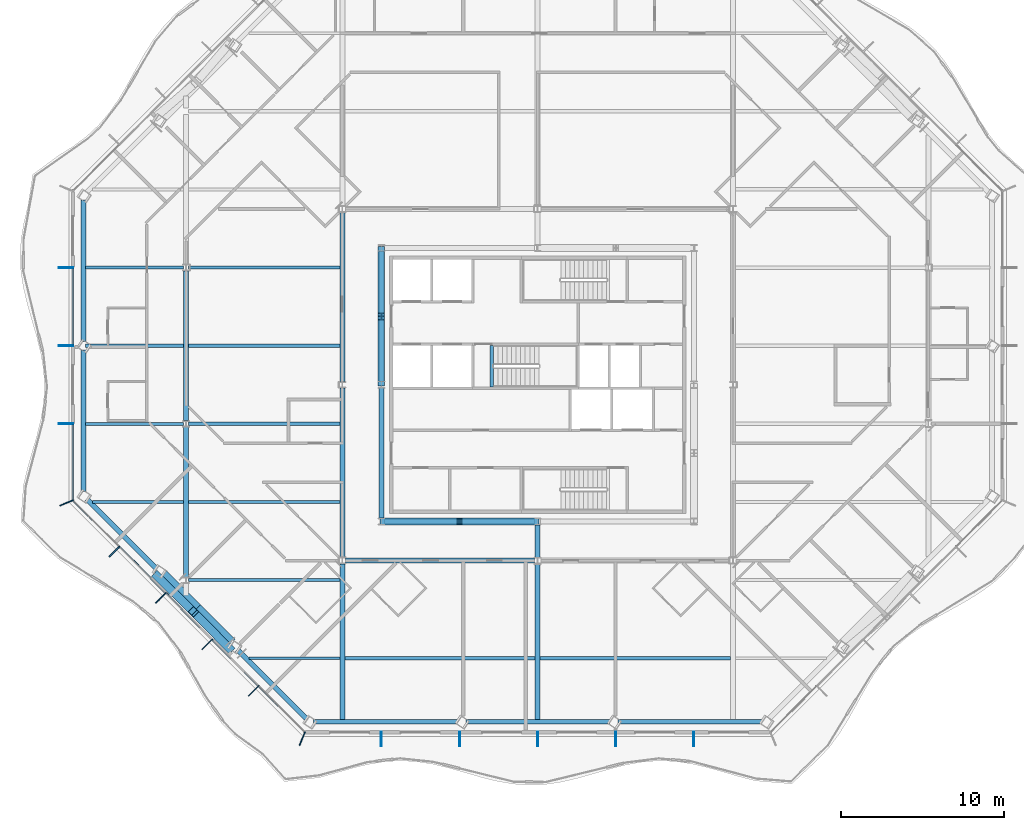
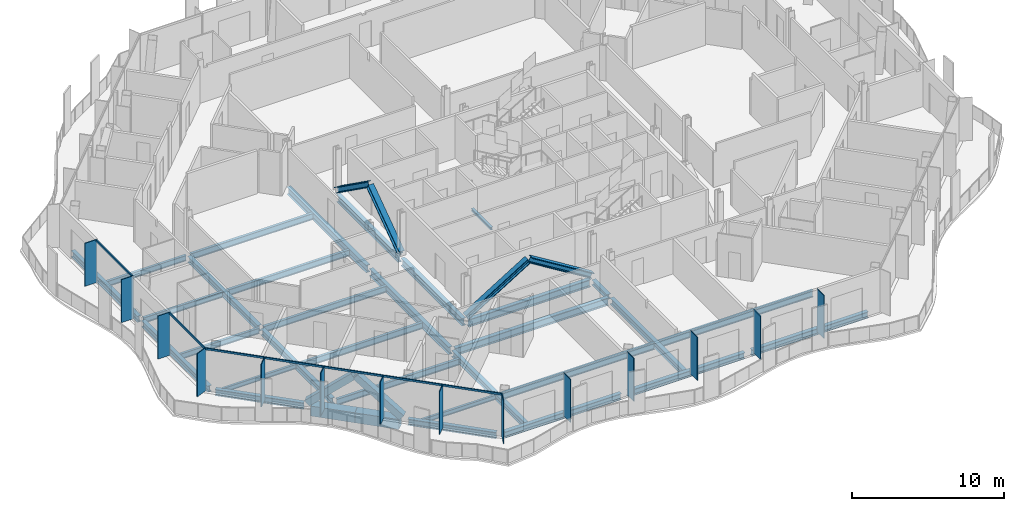
# One storey, part 3 of 21: 33 beams, 27 members, 3 elements without a shape of their own.
"""IFC4 building model written with IfcOpenShell, lengths in metres."""

from ifc_helpers import new_model, si_unit, direction, frame, origin, origin_2d, place, context, subcontext, project, spatial, rectangle, hollow_rectangle, i_section, extrude, material, material_profile, profile_set, type_object, element, aggregate, save


model = new_model("IFC4")

# Units and contexts
model_context = context("Model", 3, precision=1e-05, world=origin(), true_north=direction((0.0, 1.0)))
body_context = subcontext(model_context, "Body", "Model", "MODEL_VIEW")
ifc_project = project(units=[si_unit("LENGTHUNIT", "METRE"), si_unit("AREAUNIT", "SQUARE_METRE"), si_unit("VOLUMEUNIT", "CUBIC_METRE"), si_unit("PLANEANGLEUNIT", "RADIAN"), si_unit("MASSUNIT", "GRAM", prefix="KILO")], contexts=[model_context])

# Site, building, storey
site_placement = place(None, origin())
site = spatial("IfcSite", under=ifc_project, at=site_placement, CompositionType="ELEMENT")
building_placement = place(site_placement, origin())
building = spatial("IfcBuilding", under=site, at=building_placement, Name="Cairn Pilgrim Tower", CompositionType="ELEMENT")
storey_placement = place(building_placement, frame((0.0, 0.0, 172.199951171875)))
storey = spatial("IfcBuildingStorey", under=building, at=storey_placement, Name="L43", CompositionType="ELEMENT", Elevation=172.199951171875)

# Members
ifc_material_1 = material(Name="Structural steel S460M", Category="steel")
ifc_material_profile_1 = material_profile(ifc_material_1, hollow_rectangle(XDim=0.5, YDim=0.5, WallThickness=0.030029296875, at=origin_2d()), Name="BOX 500x500x30")
ifc_profile_set_1 = profile_set([ifc_material_profile_1], Name="Structural steel S460M")
member_type_1 = type_object("IfcMemberType", Name="BOX 500x500x30 BRACE", PredefinedType="BRACE", material=ifc_profile_set_1)
member_1_placement = place(storey_placement, frame((-16.241455078125, -9.298095703125, 0.14990234375), z_axis=(0.542271973889, -0.530750614671, 0.651340841159), x_axis=(0.699474047805, 0.714657999639, 0.0)))
element("IfcMember", 1, at=member_1_placement, inside=storey, type_object=member_type_1, Name="XB-SW2-SW3-1", PredefinedType="BRACE", context=body_context, shape_type="SweptSolid", body=[
    extrude(hollow_rectangle(XDim=0.5, YDim=0.5, WallThickness=0.030029296875, at=origin_2d()), origin(), (0.0, 0.0, 1.0), 4.132080078125),
])
member_2_placement = place(storey_placement, frame((-11.689453125, -13.83984375, 0.149169921875), z_axis=(-0.532316617534, 0.541346936026, 0.650832170035), x_axis=(-0.713028861708, -0.701134682048, 0.0)))
element("IfcMember", 2, at=member_2_placement, inside=storey, type_object=member_type_1, Name="XB-SW2-SW3-2", PredefinedType="BRACE", context=body_context, shape_type="SweptSolid", body=[
    extrude(hollow_rectangle(XDim=0.5, YDim=0.5, WallThickness=0.030029296875, at=origin_2d()), origin(), (0.0, 0.0, 1.0), 4.136474609375),
])

# Beams
ifc_material_2 = material(Name="Structural steel S355J2", Category="steel")
ifc_material_profile_2 = material_profile(ifc_material_2, hollow_rectangle(XDim=0.699951171875, YDim=0.800048828125, WallThickness=0.0400390625, at=origin_2d()), Name="BOX 700x800x40")
ifc_profile_set_2 = profile_set([ifc_material_profile_2], Name="Structural steel S355J2")
beam_type_1 = type_object("IfcBeamType", Name="BOX 700x800x40 RING GIRDER", PredefinedType="SPANDREL", material=ifc_profile_set_2)
beam_1_placement = place(storey_placement, frame((-15.884765625, -9.242431640625, -0.550048828125), z_axis=(0.707106781187, -0.707106781187, 0.0), x_axis=(0.707106781187, 0.707106781187, 0.0)))
element("IfcBeam", 3, at=beam_1_placement, inside=storey, type_object=beam_type_1, Name="RG2-SW2-SW3-1", PredefinedType="SPANDREL", context=body_context, shape_type="SweptSolid", body=[
    extrude(hollow_rectangle(XDim=0.699951171875, YDim=0.800048828125, WallThickness=0.0400390625, at=origin_2d()), origin(), (0.0, 0.0, 1.0), 2.999755859375),
])
beam_2_placement = place(storey_placement, frame((-13.763671875, -11.363525390625, -0.550048828125), z_axis=(0.707106781187, -0.707106781187, 0.0), x_axis=(0.707106781187, 0.707106781187, 0.0)))
element("IfcBeam", 4, at=beam_2_placement, inside=storey, type_object=beam_type_1, Name="RG2-SW2-SW3-2", PredefinedType="SPANDREL", context=body_context, shape_type="SweptSolid", body=[
    extrude(hollow_rectangle(XDim=0.699951171875, YDim=0.800048828125, WallThickness=0.0400390625, at=origin_2d()), origin(), (0.0, 0.0, 1.0), 3.0),
])

# Curtain wall, members
ifc_material_3 = material(Name="Aluminium alloy 6063-T6 bronze anodised with Bronze tinted laminated low-E glass 8+16+8.8", Category="aluminium")
curtain_wall_type_1 = type_object("IfcCurtainWallType", Name="TOWER STICK CURTAIN WALL NS", PredefinedType="NOTDEFINED", material=ifc_material_3)
curtain_wall_1_placement = place(storey_placement, origin())
curtain_wall_1 = element("IfcCurtainWall", 5, at=curtain_wall_1_placement, inside=storey, type_object=curtain_wall_type_1, Name="Tower Stick Curtain Wall Ns S", PredefinedType="NOTDEFINED")
ifc_material_4 = material(Name="Aluminium alloy 6063-T6 bronze anodised", Category="aluminium")
ifc_material_profile_3 = material_profile(ifc_material_4, rectangle(XDim=0.89990234375, YDim=0.06005859375, at=origin_2d()), Name="FIN MULLION 60x900 BRONZE")
ifc_profile_set_3 = profile_set([ifc_material_profile_3], Name="Aluminium alloy 6063-T6 bronze anodised")
member_type_2 = type_object("IfcMemberType", Name="FIN MULLION 60x900 BRONZE", PredefinedType="MULLION", material=ifc_profile_set_3)
member_3_placement = place(storey_placement, frame((-7.257080078125, -19.338134765625, 0.0), z_axis=(0.0, 0.0, 1.0), x_axis=(-0.382683432365, -0.923879532511, 0.0)))
member_3 = element("IfcMember", 6, at=member_3_placement, type_object=member_type_2, Name="Fin mullion S1", PredefinedType="MULLION", context=body_context, shape_type="SweptSolid", body=[
    extrude(rectangle(XDim=0.89990234375, YDim=0.06005859375, at=origin_2d()), origin(), (0.0, 0.0, 1.0), 3.449951171875),
])
member_4_placement = place(storey_placement, frame((-2.39990234375, -19.3701171875, 0.0), z_axis=(0.0, 0.0, 1.0), x_axis=(0.0, -1.0, 0.0)))
member_4 = element("IfcMember", 7, at=member_4_placement, type_object=member_type_2, Name="Fin mullion S2", PredefinedType="MULLION", context=body_context, shape_type="SweptSolid", body=[
    extrude(rectangle(XDim=0.89990234375, YDim=0.06005859375, at=origin_2d()), origin(), (0.0, 0.0, 1.0), 3.449951171875),
])
member_5_placement = place(storey_placement, frame((2.39990234375, -19.3701171875, 0.0), z_axis=(0.0, 0.0, 1.0), x_axis=(0.0, -1.0, 0.0)))
member_5 = element("IfcMember", 8, at=member_5_placement, type_object=member_type_2, Name="Fin mullion S3", PredefinedType="MULLION", context=body_context, shape_type="SweptSolid", body=[
    extrude(rectangle(XDim=0.89990234375, YDim=0.06005859375, at=origin_2d()), origin(), (0.0, 0.0, 1.0), 3.449951171875),
])
member_6_placement = place(storey_placement, frame((7.199951171875, -19.3701171875, 0.0), z_axis=(0.0, 0.0, 1.0), x_axis=(0.0, -1.0, 0.0)))
member_6 = element("IfcMember", 9, at=member_6_placement, type_object=member_type_2, Name="Fin mullion S4", PredefinedType="MULLION", context=body_context, shape_type="SweptSolid", body=[
    extrude(rectangle(XDim=0.89990234375, YDim=0.06005859375, at=origin_2d()), origin(), (0.0, 0.0, 1.0), 3.449951171875),
])
member_7_placement = place(storey_placement, frame((12.0, -19.3701171875, 0.0), z_axis=(0.0, 0.0, 1.0), x_axis=(0.0, -1.0, 0.0)))
member_7 = element("IfcMember", 10, at=member_7_placement, type_object=member_type_2, Name="Fin mullion S5", PredefinedType="MULLION", context=body_context, shape_type="SweptSolid", body=[
    extrude(rectangle(XDim=0.89990234375, YDim=0.06005859375, at=origin_2d()), origin(), (0.0, 0.0, 1.0), 3.449951171875),
])
member_8_placement = place(storey_placement, frame((16.800048828125, -19.3701171875, 0.0), z_axis=(0.0, 0.0, 1.0), x_axis=(0.0, -1.0, 0.0)))
member_8 = element("IfcMember", 11, at=member_8_placement, type_object=member_type_2, Name="Fin mullion S6", PredefinedType="MULLION", context=body_context, shape_type="SweptSolid", body=[
    extrude(rectangle(XDim=0.89990234375, YDim=0.06005859375, at=origin_2d()), origin(), (0.0, 0.0, 1.0), 3.449951171875),
])
aggregate(curtain_wall_1, [member_3, member_4, member_5, member_6, member_7, member_8])

curtain_wall_type_2 = type_object("IfcCurtainWallType", Name="TOWER STICK CURTAIN WALL EW", PredefinedType="NOTDEFINED", material=ifc_material_3)
curtain_wall_2_placement = place(storey_placement, origin())
curtain_wall_2 = element("IfcCurtainWall", 12, at=curtain_wall_2_placement, inside=storey, type_object=curtain_wall_type_2, Name="Tower Stick Curtain Wall Ew W", PredefinedType="NOTDEFINED")
member_9_placement = place(storey_placement, frame((-21.77001953125, 9.60009765625, 0.0), z_axis=(0.0, 0.0, 1.0), x_axis=(-1.0, 0.0, 0.0)))
member_9 = element("IfcMember", 13, at=member_9_placement, type_object=member_type_2, Name="Fin mullion W2", PredefinedType="MULLION", context=body_context, shape_type="SweptSolid", body=[
    extrude(rectangle(XDim=0.89990234375, YDim=0.06005859375, at=origin_2d()), origin(), (0.0, 0.0, 1.0), 3.449951171875),
])
member_10_placement = place(storey_placement, frame((-21.77001953125, 4.800048828125, 0.0), z_axis=(0.0, 0.0, 1.0), x_axis=(-1.0, 0.0, 0.0)))
member_10 = element("IfcMember", 14, at=member_10_placement, type_object=member_type_2, Name="Fin mullion W3", PredefinedType="MULLION", context=body_context, shape_type="SweptSolid", body=[
    extrude(rectangle(XDim=0.89990234375, YDim=0.06005859375, at=origin_2d()), origin(), (0.0, 0.0, 1.0), 3.449951171875),
])
member_11_placement = place(storey_placement, frame((-21.77001953125, 0.0, 0.0), z_axis=(0.0, 0.0, 1.0), x_axis=(-1.0, 0.0, 0.0)))
member_11 = element("IfcMember", 15, at=member_11_placement, type_object=member_type_2, Name="Fin mullion W4", PredefinedType="MULLION", context=body_context, shape_type="SweptSolid", body=[
    extrude(rectangle(XDim=0.89990234375, YDim=0.06005859375, at=origin_2d()), origin(), (0.0, 0.0, 1.0), 3.449951171875),
])

curtain_wall_type_3 = type_object("IfcCurtainWallType", Name="CHAMFER CORNER CURTAIN WALL", PredefinedType="NOTDEFINED", material=ifc_material_3)
curtain_wall_3_placement = place(storey_placement, origin())
curtain_wall_3 = element("IfcCurtainWall", 16, at=curtain_wall_3_placement, inside=storey, type_object=curtain_wall_type_3, Name="Chamfer Corner Curtain Wall SW", PredefinedType="NOTDEFINED")
member_12_placement = place(storey_placement, frame((-21.738037109375, -4.857177734375, 0.0), z_axis=(0.0, 0.0, 1.0), x_axis=(-0.923879532511, -0.382683432365, 0.0)))
member_12 = element("IfcMember", 17, at=member_12_placement, type_object=member_type_2, Name="Fin mullion SW1", PredefinedType="MULLION", context=body_context, shape_type="SweptSolid", body=[
    extrude(rectangle(XDim=0.89990234375, YDim=0.06005859375, at=origin_2d()), origin(), (0.0, 0.0, 1.0), 3.449951171875),
])
member_13_placement = place(storey_placement, frame((-18.79638671875, -7.84423828125, 0.0), z_axis=(0.0, 0.0, 1.0), x_axis=(-0.707106781187, -0.707106781187, 0.0)))
member_13 = element("IfcMember", 18, at=member_13_placement, type_object=member_type_2, Name="Fin mullion SW2", PredefinedType="MULLION", context=body_context, shape_type="SweptSolid", body=[
    extrude(rectangle(XDim=0.89990234375, YDim=0.06005859375, at=origin_2d()), origin(), (0.0, 0.0, 1.0), 3.449951171875),
])
member_14_placement = place(storey_placement, frame((-15.945556640625, -10.69482421875, 0.0), z_axis=(0.0, 0.0, 1.0), x_axis=(-0.707106781187, -0.707106781187, 0.0)))
member_14 = element("IfcMember", 19, at=member_14_placement, type_object=member_type_2, Name="Fin mullion SW3", PredefinedType="MULLION", context=body_context, shape_type="SweptSolid", body=[
    extrude(rectangle(XDim=0.89990234375, YDim=0.06005859375, at=origin_2d()), origin(), (0.0, 0.0, 1.0), 3.449951171875),
])
member_15_placement = place(storey_placement, frame((-13.094970703125, -13.545654296875, 0.0), z_axis=(0.0, 0.0, 1.0), x_axis=(-0.707106781187, -0.707106781187, 0.0)))
member_15 = element("IfcMember", 20, at=member_15_placement, type_object=member_type_2, Name="Fin mullion SW4", PredefinedType="MULLION", context=body_context, shape_type="SweptSolid", body=[
    extrude(rectangle(XDim=0.89990234375, YDim=0.06005859375, at=origin_2d()), origin(), (0.0, 0.0, 1.0), 3.449951171875),
])
member_16_placement = place(storey_placement, frame((-10.244140625, -16.396240234375, 0.0), z_axis=(0.0, 0.0, 1.0), x_axis=(-0.707106781187, -0.707106781187, 0.0)))
member_16 = element("IfcMember", 21, at=member_16_placement, type_object=member_type_2, Name="Fin mullion SW5", PredefinedType="MULLION", context=body_context, shape_type="SweptSolid", body=[
    extrude(rectangle(XDim=0.89990234375, YDim=0.06005859375, at=origin_2d()), origin(), (0.0, 0.0, 1.0), 3.449951171875),
])

# Members
ifc_material_profile_4 = material_profile(ifc_material_1, i_section(OverallWidth=0.408935546875, OverallDepth=0.425048828125, WebThickness=0.03271484375, FlangeThickness=0.052490234375, FilletRadius=0.014892578125, at=origin_2d()), Name="HD 400x421")
ifc_profile_set_4 = profile_set([ifc_material_profile_4], Name="Structural steel S460M")
member_type_3 = type_object("IfcMemberType", Name="HD 400x421 BRACE", PredefinedType="BRACE", material=ifc_profile_set_4)
member_17_placement = place(storey_placement, frame((-2.3583984375, -6.0, 0.10009765625), z_axis=(0.851119565216, 0.0, 0.524971890397), x_axis=(0.0, 1.0, 0.0)))
element("IfcMember", 22, at=member_17_placement, inside=storey, type_object=member_type_3, Name="KB-1A", PredefinedType="BRACE", context=body_context, shape_type="SweptSolid", body=[
    extrude(i_section(OverallWidth=0.408935546875, OverallDepth=0.425048828125, WebThickness=0.03271484375, FlangeThickness=0.052490234375, FilletRadius=0.014892578125, at=origin_2d()), origin(), (0.0, 0.0, 1.0), 5.528076171875),
])
member_18_placement = place(storey_placement, frame((7.158447265625, -6.0, 0.10009765625), z_axis=(-0.851131735799, 0.0, 0.52495215812), x_axis=(0.0, -1.0, 0.0)))
element("IfcMember", 23, at=member_18_placement, inside=storey, type_object=member_type_3, Name="KB-1B", PredefinedType="BRACE", context=body_context, shape_type="SweptSolid", body=[
    extrude(i_section(OverallWidth=0.408935546875, OverallDepth=0.425048828125, WebThickness=0.03271484375, FlangeThickness=0.052490234375, FilletRadius=0.014892578125, at=origin_2d()), origin(), (0.0, 0.0, 1.0), 5.5283203125),
])
for number, where, z_axis, x_axis, name in (
    (24, (-2.39990234375, 10.75830078125, 0.10009765625), (0.0, -0.81433042856, 0.580401544727), (1.0, 0.0, 0.0), "KB-4A"),
    (25, (-2.39990234375, 2.441650390625, 0.10009765625), (0.0, 0.81433042856, 0.580401544727), (-1.0, 0.0, 0.0), "KB-4B"),
):
    element("IfcMember", number, at=place(storey_placement, frame(where, z_axis=z_axis, x_axis=x_axis)), inside=storey, type_object=member_type_3, Name=name, PredefinedType="BRACE", context=body_context, shape_type="SweptSolid", body=[
        extrude(i_section(OverallWidth=0.408935546875, OverallDepth=0.425048828125, WebThickness=0.03271484375, FlangeThickness=0.052490234375, FilletRadius=0.014892578125, at=origin_2d()), origin(), (0.0, 0.0, 1.0), 4.998046875),
    ])

# Beams
ifc_material_profile_5 = material_profile(ifc_material_2, i_section(OverallWidth=0.300048828125, OverallDepth=0.39990234375, WebThickness=0.013427734375, FlangeThickness=0.02392578125, FilletRadius=0.027099609375, at=origin_2d()), Name="HEB 400")
ifc_profile_set_5 = profile_set([ifc_material_profile_5], Name="Structural steel S355J2")
beam_type_2 = type_object("IfcBeamType", Name="HEB 400 GIRDER", PredefinedType="BEAM", material=ifc_profile_set_5)
beam_3_placement = place(storey_placement, frame((7.199951171875, -8.200439453125, -0.349853515625), z_axis=(0.0, 1.0, 0.0), x_axis=(-1.0, 0.0, 0.0)))
element("IfcBeam", 26, at=beam_3_placement, inside=storey, type_object=beam_type_2, Name="PG3-E1", PredefinedType="BEAM", context=body_context, shape_type="SweptSolid", body=[
    extrude(i_section(OverallWidth=0.300048828125, OverallDepth=0.39990234375, WebThickness=0.013427734375, FlangeThickness=0.02392578125, FilletRadius=0.027099609375, at=origin_2d()), origin(), (0.0, 0.0, 1.0), 1.992431640625),
])
ifc_material_profile_6 = material_profile(ifc_material_2, i_section(OverallWidth=0.300048828125, OverallDepth=0.5, WebThickness=0.014404296875, FlangeThickness=0.028076171875, FilletRadius=0.027099609375, at=origin_2d()), Name="HEB 500")
ifc_profile_set_6 = profile_set([ifc_material_profile_6], Name="Structural steel S355J2")
beam_type_3 = type_object("IfcBeamType", Name="HEB 500 GIRDER", PredefinedType="BEAM", material=ifc_profile_set_6)
for number, where, z_axis, x_axis, name in (
    (27, (-14.39990234375, -9.400390625, -0.39990234375), (0.0, 1.0, 0.0), (-1.0, 0.0, 0.0), "PG1-1"),
    (28, (-14.39990234375, 0.199462890625, -0.39990234375), (0.0, 1.0, 0.0), (-1.0, 0.0, 0.0), "PG1-2"),
):
    element("IfcBeam", number, at=place(storey_placement, frame(where, z_axis=z_axis, x_axis=x_axis)), inside=storey, type_object=beam_type_3, Name=name, PredefinedType="BEAM", context=body_context, shape_type="SweptSolid", body=[
        extrude(i_section(OverallWidth=0.300048828125, OverallDepth=0.5, WebThickness=0.014404296875, FlangeThickness=0.028076171875, FilletRadius=0.027099609375, at=origin_2d()), origin(), (0.0, 0.0, 1.0), 9.200927734375),
    ])
for number, where, z_axis, x_axis, name in (
    (29, (-4.800048828125, -18.179931640625, -0.39990234375), (0.0, 1.0, 0.0), (-1.0, 0.0, 0.0), "PG2-1"),
    (30, (7.199951171875, -18.179931640625, -0.39990234375), (0.0, 1.0, 0.0), (-1.0, 0.0, 0.0), "PG3-1"),
):
    element("IfcBeam", number, at=place(storey_placement, frame(where, z_axis=z_axis, x_axis=x_axis)), inside=storey, type_object=beam_type_3, Name=name, PredefinedType="BEAM", context=body_context, shape_type="SweptSolid", body=[
        extrude(i_section(OverallWidth=0.300048828125, OverallDepth=0.5, WebThickness=0.014404296875, FlangeThickness=0.028076171875, FilletRadius=0.027099609375, at=origin_2d()), origin(), (0.0, 0.0, 1.0), 9.580322265625),
    ])
ifc_material_profile_7 = material_profile(ifc_material_2, i_section(OverallWidth=0.300048828125, OverallDepth=0.5, WebThickness=0.014404296875, FlangeThickness=0.028076171875, FilletRadius=0.027099609375, at=origin_2d()), Name="HEB 500")
ifc_profile_set_7 = profile_set([ifc_material_profile_7], Name="Structural steel S355J2")
beam_type_4 = type_object("IfcBeamType", Name="HEB 500 RING GIRDER", PredefinedType="SPANDREL", material=ifc_profile_set_7)
for number, where, z_axis, x_axis, name in (
    (31, (-6.55712890625, -18.300048828125, -0.39990234375), (1.0, 0.0, 0.0), (0.0, 1.0, 0.0), "RG2-S1-S2"),
    (32, (2.794189453125, -18.300048828125, -0.39990234375), (1.0, 0.0, 0.0), (0.0, 1.0, 0.0), "RG2-S2-S3"),
    (33, (12.145751953125, -18.300048828125, -0.39990234375), (1.0, 0.0, 0.0), (0.0, 1.0, 0.0), "RG2-S3-SE1"),
):
    element("IfcBeam", number, at=place(storey_placement, frame(where, z_axis=z_axis, x_axis=x_axis)), inside=storey, type_object=beam_type_4, Name=name, PredefinedType="SPANDREL", context=body_context, shape_type="SweptSolid", body=[
        extrude(i_section(OverallWidth=0.300048828125, OverallDepth=0.5, WebThickness=0.014404296875, FlangeThickness=0.028076171875, FilletRadius=0.027099609375, at=origin_2d()), origin(), (0.0, 0.0, 1.0), 8.8115234375),
    ])
beam_4_placement = place(storey_placement, frame((-20.699951171875, 13.757080078125, -0.39990234375), z_axis=(0.0, -1.0, 0.0), x_axis=(1.0, 0.0, 0.0)))
element("IfcBeam", 34, at=beam_4_placement, inside=storey, type_object=beam_type_4, Name="RG2-W1-W2", PredefinedType="SPANDREL", context=body_context, shape_type="SweptSolid", body=[
    extrude(i_section(OverallWidth=0.300048828125, OverallDepth=0.5, WebThickness=0.014404296875, FlangeThickness=0.028076171875, FilletRadius=0.027099609375, at=origin_2d()), origin(), (0.0, 0.0, 1.0), 8.68701171875),
])
beam_5_placement = place(storey_placement, frame((-20.699951171875, 4.530029296875, -0.39990234375), z_axis=(0.0, -1.0, 0.0), x_axis=(1.0, 0.0, 0.0)))
element("IfcBeam", 35, at=beam_5_placement, inside=storey, type_object=beam_type_4, Name="RG2-W2-SW1", PredefinedType="SPANDREL", context=body_context, shape_type="SweptSolid", body=[
    extrude(i_section(OverallWidth=0.300048828125, OverallDepth=0.5, WebThickness=0.014404296875, FlangeThickness=0.028076171875, FilletRadius=0.027099609375, at=origin_2d()), origin(), (0.0, 0.0, 1.0), 8.687255859375),
])
for number, where, z_axis, x_axis, name in (
    (36, (-20.509033203125, -4.6181640625, -0.39990234375), (0.707106781187, -0.707106781187, 0.0), (0.707106781187, 0.707106781187, 0.0), "RG2-SW1-SW2"),
    (37, (-11.260498046875, -13.86669921875, -0.39990234375), (0.707106781187, -0.707106781187, 0.0), (0.707106781187, 0.707106781187, 0.0), "RG2-SW3-S1"),
):
    element("IfcBeam", number, at=place(storey_placement, frame(where, z_axis=z_axis, x_axis=x_axis)), inside=storey, type_object=beam_type_4, Name=name, PredefinedType="SPANDREL", context=body_context, shape_type="SweptSolid", body=[
        extrude(i_section(OverallWidth=0.300048828125, OverallDepth=0.5, WebThickness=0.014404296875, FlangeThickness=0.028076171875, FilletRadius=0.027099609375, at=origin_2d()), origin(), (0.0, 0.0, 1.0), 5.999755859375),
    ])
ifc_material_profile_8 = material_profile(ifc_material_2, i_section(OverallWidth=0.300048828125, OverallDepth=0.60009765625, WebThickness=0.015380859375, FlangeThickness=0.030029296875, FilletRadius=0.027099609375, at=origin_2d()), Name="HEB 600")
ifc_profile_set_8 = profile_set([ifc_material_profile_8], Name="Structural steel S355J2")
beam_type_5 = type_object("IfcBeamType", Name="HEB 600 CORE BEAM", PredefinedType="BEAM", material=ifc_profile_set_8)
beam_6_placement = place(storey_placement, frame((-2.212890625, -6.0, -0.449951171875), z_axis=(1.0, 0.0, 0.0), x_axis=(0.0, 1.0, 0.0)))
element("IfcBeam", 38, at=beam_6_placement, inside=storey, type_object=beam_type_5, Name="CB-1", PredefinedType="BEAM", context=body_context, shape_type="SweptSolid", body=[
    extrude(i_section(OverallWidth=0.300048828125, OverallDepth=0.60009765625, WebThickness=0.015380859375, FlangeThickness=0.030029296875, FilletRadius=0.027099609375, at=origin_2d()), origin(), (0.0, 0.0, 1.0), 9.2255859375),
])
for number, where, z_axis, x_axis, name in (
    (39, (-2.39990234375, 10.61279296875, -0.449951171875), (0.0, -1.0, 0.0), (1.0, 0.0, 0.0), "CB-7"),
    (40, (-2.39990234375, 2.212890625, -0.449951171875), (0.0, -1.0, 0.0), (1.0, 0.0, 0.0), "CB-8"),
):
    element("IfcBeam", number, at=place(storey_placement, frame(where, z_axis=z_axis, x_axis=x_axis)), inside=storey, type_object=beam_type_5, Name=name, PredefinedType="BEAM", context=body_context, shape_type="SweptSolid", body=[
        extrude(i_section(OverallWidth=0.300048828125, OverallDepth=0.60009765625, WebThickness=0.015380859375, FlangeThickness=0.030029296875, FilletRadius=0.027099609375, at=origin_2d()), origin(), (0.0, 0.0, 1.0), 8.025634765625),
    ])
ifc_material_profile_9 = material_profile(ifc_material_2, i_section(OverallWidth=0.300048828125, OverallDepth=0.60009765625, WebThickness=0.015380859375, FlangeThickness=0.030029296875, FilletRadius=0.027099609375, at=origin_2d()), Name="HEB 600")
ifc_profile_set_9 = profile_set([ifc_material_profile_9], Name="Structural steel S355J2")
beam_type_6 = type_object("IfcBeamType", Name="HEB 600 GIRDER", PredefinedType="BEAM", material=ifc_profile_set_9)
for number, where, z_axis, x_axis, name in (
    (41, (-4.800048828125, -8.200439453125, -0.449951171875), (0.0, 1.0, 0.0), (-1.0, 0.0, 0.0), "PG2-2"),
    (42, (-4.800048828125, 2.599609375, -0.449951171875), (0.0, 1.0, 0.0), (-1.0, 0.0, 0.0), "PG2-3"),
):
    element("IfcBeam", number, at=place(storey_placement, frame(where, z_axis=z_axis, x_axis=x_axis)), inside=storey, type_object=beam_type_6, Name=name, PredefinedType="BEAM", context=body_context, shape_type="SweptSolid", body=[
        extrude(i_section(OverallWidth=0.300048828125, OverallDepth=0.60009765625, WebThickness=0.015380859375, FlangeThickness=0.030029296875, FilletRadius=0.027099609375, at=origin_2d()), origin(), (0.0, 0.0, 1.0), 10.40087890625),
    ])
ifc_material_profile_10 = material_profile(ifc_material_2, i_section(OverallWidth=0.300048828125, OverallDepth=0.60009765625, WebThickness=0.015380859375, FlangeThickness=0.030029296875, FilletRadius=0.027099609375, at=origin_2d()), Name="HEB 600")
ifc_profile_set_10 = profile_set([ifc_material_profile_10], Name="Structural steel S355J2")
beam_type_7 = type_object("IfcBeamType", Name="HEB 600 INNER GIRDER", PredefinedType="BEAM", material=ifc_profile_set_10)
beam_7_placement = place(storey_placement, frame((-4.6005859375, -8.39990234375, -0.449951171875), z_axis=(1.0, 0.0, 0.0), x_axis=(0.0, 1.0, 0.0)))
element("IfcBeam", 43, at=beam_7_placement, inside=storey, type_object=beam_type_7, Name="IG1-1", PredefinedType="BEAM", context=body_context, shape_type="SweptSolid", body=[
    extrude(i_section(OverallWidth=0.300048828125, OverallDepth=0.60009765625, WebThickness=0.015380859375, FlangeThickness=0.030029296875, FilletRadius=0.027099609375, at=origin_2d()), origin(), (0.0, 0.0, 1.0), 11.60107421875),
])
ifc_material_profile_11 = material_profile(ifc_material_2, i_section(OverallWidth=0.169921875, OverallDepth=0.360107421875, WebThickness=0.008056640625, FlangeThickness=0.0126953125, FilletRadius=0.01806640625, at=origin_2d()), Name="IPE 360")
ifc_profile_set_11 = profile_set([ifc_material_profile_11], Name="Structural steel S355J2")
beam_type_8 = type_object("IfcBeamType", Name="IPE 360 SECONDARY BEAM", PredefinedType="JOIST", material=ifc_profile_set_11)
beam_8_placement = place(storey_placement, frame((-10.545166015625, -14.39990234375, -0.329833984375), z_axis=(1.0, 0.0, 0.0), x_axis=(0.0, 1.0, 0.0)))
element("IfcBeam", 44, at=beam_8_placement, inside=storey, type_object=beam_type_8, Name="SB1-1", PredefinedType="JOIST", context=body_context, shape_type="SweptSolid", body=[
    extrude(i_section(OverallWidth=0.169921875, OverallDepth=0.360107421875, WebThickness=0.008056640625, FlangeThickness=0.0126953125, FilletRadius=0.01806640625, at=origin_2d()), origin(), (0.0, 0.0, 1.0), 5.59521484375),
])
beam_9_placement = place(storey_placement, frame((-20.14501953125, -4.800048828125, -0.329833984375), z_axis=(1.0, 0.0, 0.0), x_axis=(0.0, 1.0, 0.0)))
element("IfcBeam", 45, at=beam_9_placement, inside=storey, type_object=beam_type_8, Name="SB3-1", PredefinedType="JOIST", context=body_context, shape_type="SweptSolid", body=[
    extrude(i_section(OverallWidth=0.169921875, OverallDepth=0.360107421875, WebThickness=0.008056640625, FlangeThickness=0.0126953125, FilletRadius=0.01806640625, at=origin_2d()), origin(), (0.0, 0.0, 1.0), 5.594970703125),
])
ifc_material_profile_12 = material_profile(ifc_material_2, i_section(OverallWidth=0.18994140625, OverallDepth=0.449951171875, WebThickness=0.009521484375, FlangeThickness=0.0146484375, FilletRadius=0.02099609375, at=origin_2d()), Name="IPE 450")
ifc_profile_set_12 = profile_set([ifc_material_profile_12], Name="Structural steel S355J2")
beam_type_9 = type_object("IfcBeamType", Name="IPE 450 SECONDARY BEAM", PredefinedType="JOIST", material=ifc_profile_set_12)
for number, where, z_axis, x_axis, name in (
    (46, (-20.580078125, 0.0, -0.375), (1.0, 0.0, 0.0), (0.0, 1.0, 0.0), "SB4-1"),
    (47, (-20.580078125, 4.800048828125, -0.375), (1.0, 0.0, 0.0), (0.0, 1.0, 0.0), "SB5-1"),
    (48, (-20.580078125, 9.60009765625, -0.375), (1.0, 0.0, 0.0), (0.0, 1.0, 0.0), "SB6-1"),
):
    element("IfcBeam", number, at=place(storey_placement, frame(where, z_axis=z_axis, x_axis=x_axis)), inside=storey, type_object=beam_type_9, Name=name, PredefinedType="JOIST", context=body_context, shape_type="SweptSolid", body=[
        extrude(i_section(OverallWidth=0.18994140625, OverallDepth=0.449951171875, WebThickness=0.009521484375, FlangeThickness=0.0146484375, FilletRadius=0.02099609375, at=origin_2d()), origin(), (0.0, 0.0, 1.0), 6.030029296875),
    ])
ifc_material_profile_13 = material_profile(ifc_material_2, i_section(OverallWidth=0.199951171875, OverallDepth=0.5, WebThickness=0.01025390625, FlangeThickness=0.01611328125, FilletRadius=0.02099609375, at=origin_2d()), Name="IPE 500")
ifc_profile_set_13 = profile_set([ifc_material_profile_13], Name="Structural steel S355J2")
beam_type_10 = type_object("IfcBeamType", Name="IPE 500 SECONDARY BEAM", PredefinedType="JOIST", material=ifc_profile_set_13)
for number, where, z_axis, x_axis, name in (
    (49, (-14.25, -9.60009765625, -0.39990234375), (1.0, 0.0, 0.0), (0.0, 1.0, 0.0), "SB2-1"),
    (50, (-14.25, -4.800048828125, -0.39990234375), (1.0, 0.0, 0.0), (0.0, 1.0, 0.0), "SB3-2"),
    (51, (-14.25, 0.0, -0.39990234375), (1.0, 0.0, 0.0), (0.0, 1.0, 0.0), "SB4-2"),
    (52, (-14.25, 4.800048828125, -0.39990234375), (1.0, 0.0, 0.0), (0.0, 1.0, 0.0), "SB5-2"),
    (53, (-14.25, 9.60009765625, -0.39990234375), (1.0, 0.0, 0.0), (0.0, 1.0, 0.0), "SB6-2"),
):
    element("IfcBeam", number, at=place(storey_placement, frame(where, z_axis=z_axis, x_axis=x_axis)), inside=storey, type_object=beam_type_10, Name=name, PredefinedType="JOIST", context=body_context, shape_type="SweptSolid", body=[
        extrude(i_section(OverallWidth=0.199951171875, OverallDepth=0.5, WebThickness=0.01025390625, FlangeThickness=0.01611328125, FilletRadius=0.02099609375, at=origin_2d()), origin(), (0.0, 0.0, 1.0), 9.300048828125),
    ])
ifc_material_profile_14 = material_profile(ifc_material_2, i_section(OverallWidth=0.2099609375, OverallDepth=0.550048828125, WebThickness=0.010986328125, FlangeThickness=0.01708984375, FilletRadius=0.02392578125, at=origin_2d()), Name="IPE 550")
ifc_profile_set_14 = profile_set([ifc_material_profile_14], Name="Structural steel S355J2")
beam_type_11 = type_object("IfcBeamType", Name="IPE 550 SECONDARY BEAM", PredefinedType="JOIST", material=ifc_profile_set_14)
for number, where, z_axis, x_axis, name in (
    (54, (-4.64990234375, -14.39990234375, -0.425048828125), (1.0, 0.0, 0.0), (0.0, 1.0, 0.0), "SB1-2"),
    (55, (7.35009765625, -14.39990234375, -0.425048828125), (1.0, 0.0, 0.0), (0.0, 1.0, 0.0), "SB1-3"),
):
    element("IfcBeam", number, at=place(storey_placement, frame(where, z_axis=z_axis, x_axis=x_axis)), inside=storey, type_object=beam_type_11, Name=name, PredefinedType="JOIST", context=body_context, shape_type="SweptSolid", body=[
        extrude(i_section(OverallWidth=0.2099609375, OverallDepth=0.550048828125, WebThickness=0.010986328125, FlangeThickness=0.01708984375, FilletRadius=0.02392578125, at=origin_2d()), origin(), (0.0, 0.0, 1.0), 11.699951171875),
    ])
ifc_material_profile_15 = material_profile(ifc_material_2, i_section(OverallWidth=0.199951171875, OverallDepth=0.199951171875, WebThickness=0.009033203125, FlangeThickness=0.014892578125, FilletRadius=0.01806640625, at=origin_2d()), Name="HE 200 B")
ifc_profile_set_15 = profile_set([ifc_material_profile_15], Name="Structural steel S355J2")
beam_type_12 = type_object("IfcBeamType", Name="STAIR LANDING BEAM HE 200 B", PredefinedType="BEAM", material=ifc_profile_set_15)
beam_10_placement = place(storey_placement, frame((4.37548828125, 2.27490234375, -0.25), z_axis=(0.0, 1.0, 0.0), x_axis=(-1.0, 0.0, 0.0)))
element("IfcBeam", 56, at=beam_10_placement, inside=storey, type_object=beam_type_12, Name="STAIR LANDING BEAM LD-HE200B", PredefinedType="BEAM", context=body_context, shape_type="SweptSolid", body=[
    extrude(i_section(OverallWidth=0.199951171875, OverallDepth=0.199951171875, WebThickness=0.009033203125, FlangeThickness=0.014892578125, FilletRadius=0.01806640625, at=origin_2d()), origin(), (0.0, 0.0, 1.0), 2.550048828125),
])

# Member
ifc_material_profile_16 = material_profile(ifc_material_4, rectangle(XDim=0.080078125, YDim=0.14990234375, at=origin_2d()), Name="TRANSOM 80x150 BRONZE")
ifc_profile_set_16 = profile_set([ifc_material_profile_16], Name="Aluminium alloy 6063-T6 bronze anodised")
member_type_4 = type_object("IfcMemberType", Name="TRANSOM 80x150 BRONZE", PredefinedType="USERDEFINED", material=ifc_profile_set_16)
member_19_placement = place(storey_placement, frame((-21.35009765625, 9.570068359375, 3.375), z_axis=(0.0, -1.0, 0.0), x_axis=(1.0, 0.0, 0.0)))
member_19 = element("IfcMember", 57, at=member_19_placement, type_object=member_type_4, Name="Transom W2", ObjectType="TRANSOM", PredefinedType="USERDEFINED", context=body_context, shape_type="SweptSolid", body=[
    extrude(rectangle(XDim=0.080078125, YDim=0.14990234375, at=origin_2d()), origin(), (0.0, 0.0, 1.0), 4.739990234375),
])

member_20_placement = place(storey_placement, frame((-21.35009765625, -0.030029296875, 3.375), z_axis=(0.0, -1.0, 0.0), x_axis=(1.0, 0.0, 0.0)))
member_20 = element("IfcMember", 58, at=member_20_placement, type_object=member_type_4, Name="Transom W4", ObjectType="TRANSOM", PredefinedType="USERDEFINED", context=body_context, shape_type="SweptSolid", body=[
    extrude(rectangle(XDim=0.080078125, YDim=0.14990234375, at=origin_2d()), origin(), (0.0, 0.0, 1.0), 4.62646484375),
])

aggregate(curtain_wall_2, [member_9, member_10, member_11, member_19, member_20])

member_21_placement = place(storey_placement, frame((-21.32177734375, -4.724609375, 3.375), z_axis=(0.707106781187, -0.707106781187, 0.0), x_axis=(0.707106781187, 0.707106781187, 0.0)))
member_21 = element("IfcMember", 59, at=member_21_placement, type_object=member_type_4, Name="Transom SW1", ObjectType="TRANSOM", PredefinedType="USERDEFINED", context=body_context, shape_type="SweptSolid", body=[
    extrude(rectangle(XDim=0.080078125, YDim=0.14990234375, at=origin_2d()), origin(), (0.0, 0.0, 1.0), 3.961669921875),
])

member_22_placement = place(storey_placement, frame((-18.47802734375, -7.568359375, 3.375), z_axis=(0.707106781187, -0.707106781187, 0.0), x_axis=(0.707106781187, 0.707106781187, 0.0)))
member_22 = element("IfcMember", 60, at=member_22_placement, type_object=member_type_4, Name="Transom SW2", ObjectType="TRANSOM", PredefinedType="USERDEFINED", context=body_context, shape_type="SweptSolid", body=[
    extrude(rectangle(XDim=0.080078125, YDim=0.14990234375, at=origin_2d()), origin(), (0.0, 0.0, 1.0), 3.9716796875),
])

member_23_placement = place(storey_placement, frame((-15.62744140625, -10.419189453125, 3.375), z_axis=(0.70713751761, -0.707076043427, 0.0), x_axis=(0.707076043427, 0.70713751761, 0.0)))
member_23 = element("IfcMember", 61, at=member_23_placement, type_object=member_type_4, Name="Transom SW3", ObjectType="TRANSOM", PredefinedType="USERDEFINED", context=body_context, shape_type="SweptSolid", body=[
    extrude(rectangle(XDim=0.080078125, YDim=0.14990234375, at=origin_2d()), origin(), (0.0, 0.0, 1.0), 3.971435546875),
])

member_24_placement = place(storey_placement, frame((-12.776611328125, -13.269775390625, 3.375), z_axis=(0.707106781187, -0.707106781187, 0.0), x_axis=(0.707106781187, 0.707106781187, 0.0)))
member_24 = element("IfcMember", 62, at=member_24_placement, type_object=member_type_4, Name="Transom SW4", ObjectType="TRANSOM", PredefinedType="USERDEFINED", context=body_context, shape_type="SweptSolid", body=[
    extrude(rectangle(XDim=0.080078125, YDim=0.14990234375, at=origin_2d()), origin(), (0.0, 0.0, 1.0), 3.9716796875),
])

member_25_placement = place(storey_placement, frame((-9.926025390625, -16.12060546875, 3.375), z_axis=(0.707137595296, -0.707075965734, 0.0), x_axis=(0.707075965734, 0.707137595296, 0.0)))
member_25 = element("IfcMember", 63, at=member_25_placement, type_object=member_type_4, Name="Transom SW5", ObjectType="TRANSOM", PredefinedType="USERDEFINED", context=body_context, shape_type="SweptSolid", body=[
    extrude(rectangle(XDim=0.080078125, YDim=0.14990234375, at=origin_2d()), origin(), (0.0, 0.0, 1.0), 3.96142578125),
])

aggregate(curtain_wall_3, [member_12, member_13, member_14, member_15, member_16, member_21, member_22, member_23, member_24, member_25])

save(model, "model.ifc")
